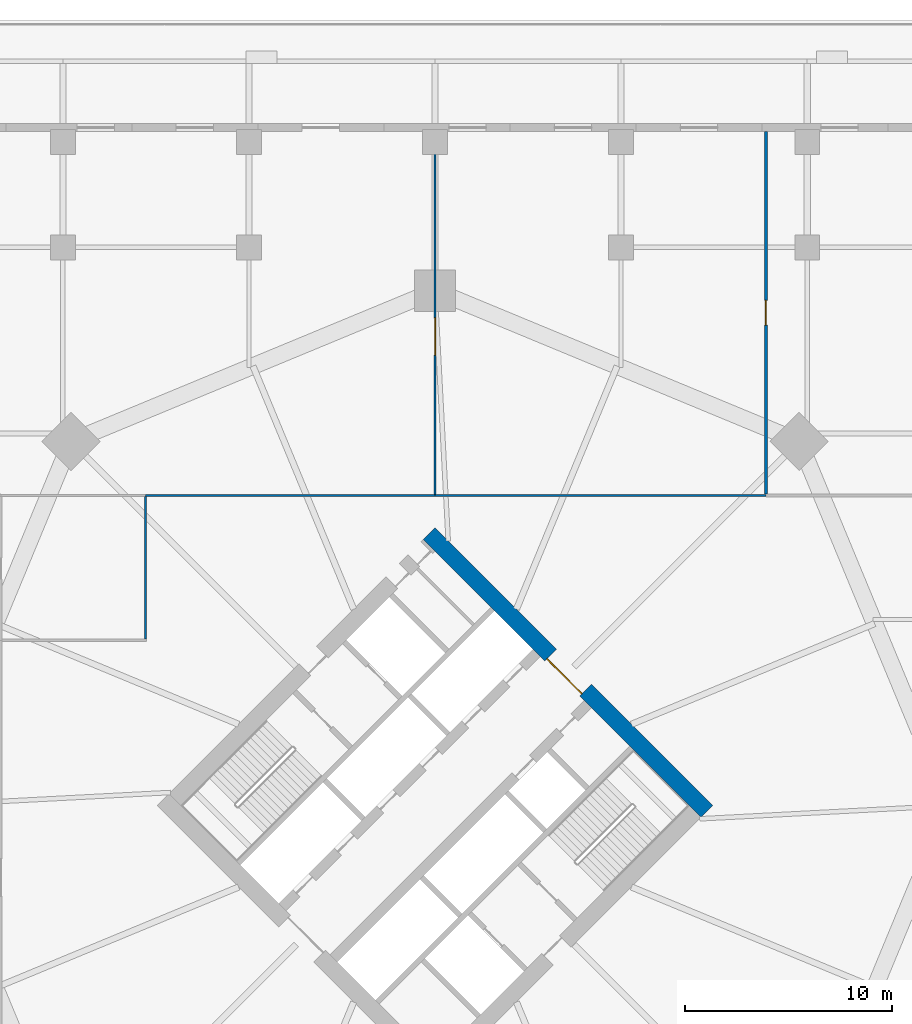
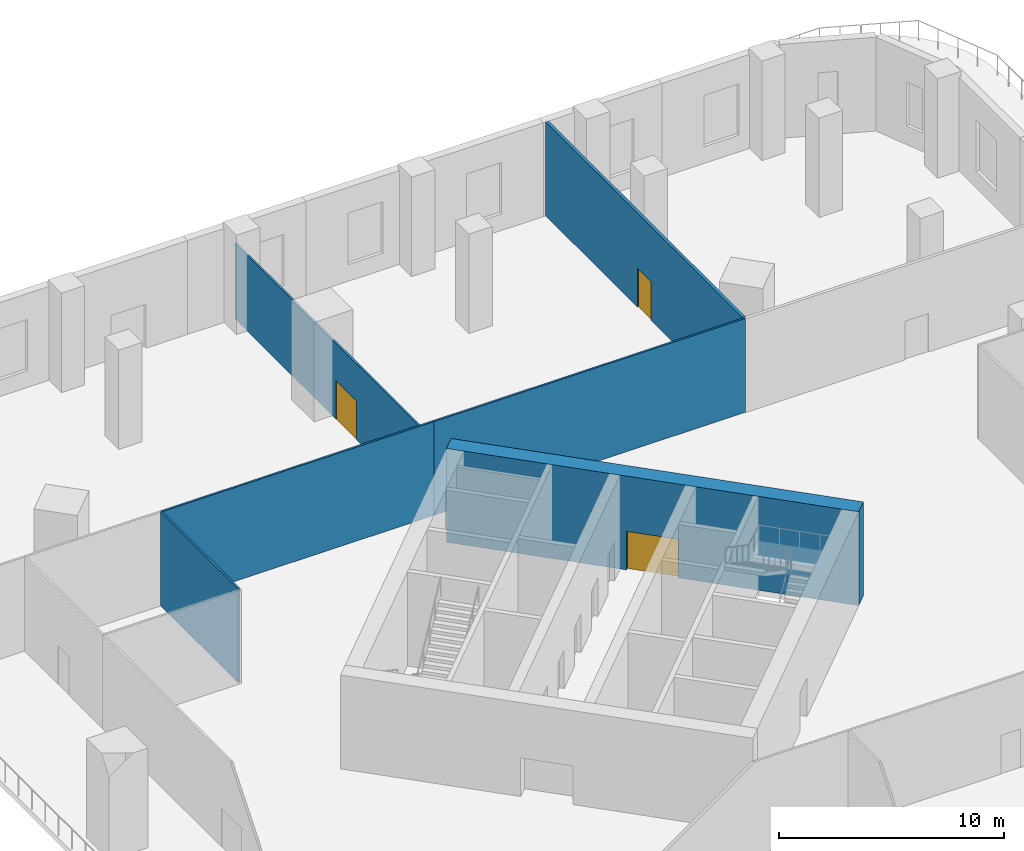
# One storey, part 9 of 20: 6 walls, 3 doors, 3 openings.
"""IFC4 building model written with IfcOpenShell, lengths in metres."""

from ifc_helpers import new_model, si_unit, direction, frame, frame_2d, origin, place, context, subcontext, project, spatial, rectangle, extrude, material, layer, layer_set, type_object, element, fill, save


model = new_model("IFC4")

# Units and contexts
model_context = context("Model", 3, precision=1e-05, world=origin(), true_north=direction((0.0, 1.0)))
body_context = subcontext(model_context, "Body", "Model", "MODEL_VIEW")
ifc_project = project(units=[si_unit("LENGTHUNIT", "METRE"), si_unit("AREAUNIT", "SQUARE_METRE"), si_unit("VOLUMEUNIT", "CUBIC_METRE"), si_unit("PLANEANGLEUNIT", "RADIAN"), si_unit("MASSUNIT", "GRAM", prefix="KILO")], contexts=[model_context])

# Site, building, storey
site_placement = place(None, origin())
site = spatial("IfcSite", under=ifc_project, at=site_placement, CompositionType="ELEMENT")
building_placement = place(site_placement, origin())
building = spatial("IfcBuilding", under=site, at=building_placement, Name="Ogive Gate Towers", CompositionType="ELEMENT")
storey_placement = place(building_placement, frame((0.0, 0.0, 7.199951171875)))
storey = spatial("IfcBuildingStorey", under=building, at=storey_placement, Name="L01", CompositionType="ELEMENT", Elevation=7.199951171875)

# Wall, opening, door
ifc_material_1 = material(Name="Concrete C60/75", Category="concrete")
ifc_layer_1 = layer(ifc_material_1, 0.800048828125)
ifc_layer_set_1 = layer_set([ifc_layer_1], Name="Core wall 800 mm")
wall_type_1 = type_object("IfcWallType", Name="Core wall 800 mm", PredefinedType="SHEAR", material=ifc_layer_set_1)
wall_1_placement = place(storey_placement, frame((49.152099609375, -0.28271484375, 0.0), z_axis=(0.0, 0.0, 1.0), x_axis=(-0.707106781187, 0.707106781187, 0.0)))
wall_1 = element("IfcWall", 1, at=wall_1_placement, inside=storey, type_object=wall_type_1, Name="T2 L01 Core wall 800 mm", PredefinedType="SHEAR", context=body_context, shape_type="SweptSolid", body=[
    extrude(rectangle(XDim=18.999755859375, YDim=0.800048828125, at=frame_2d((9.5, 0.0))), origin(), (0.0, 0.0, 1.0), 5.10009765625),
])
opening_1_placement = place(wall_1_placement, frame((8.300048828125, 0.0, 0.0)))
opening_1 = element("IfcOpeningElement", 2, at=opening_1_placement, cuts=wall_1, Name="Opening KD-T2-L01-02", PredefinedType="OPENING", context=body_context, shape_type="SweptSolid", body=[
    extrude(rectangle(XDim=2.39990234375, YDim=2.10009765625, at=frame_2d((1.199951171875, 1.050048828125))), frame((0.0, 0.41015625, 0.0), z_axis=(0.0, -1.0, 0.0), x_axis=(1.0, 0.0, 0.0)), (0.0, 0.0, 1.0), 0.820068359375),
])
ifc_material_2 = material(Name="Steel fire door", Category="steel")
door_type_1 = type_object("IfcDoorType", Name="Core double door FD60S 2400 x 2100", OperationType="DOUBLE_DOOR_SINGLE_SWING", PredefinedType="DOOR", material=ifc_material_2)
door_1_placement = place(opening_1_placement, origin())
door_1 = element("IfcDoor", 3, at=door_1_placement, inside=storey, type_object=door_type_1, Name="T2 L01 Core door double", OperationType="DOUBLE_DOOR_SINGLE_SWING", OverallHeight=2.10009765625, OverallWidth=2.39990234375, PredefinedType="DOOR", context=body_context, shape_type="SweptSolid", body=[
    extrude(rectangle(XDim=2.39990234375, YDim=2.10009765625, at=frame_2d((1.199951171875, 1.050048828125))), frame((0.0, 0.27490234375, 0.0), z_axis=(0.0, -1.0, 0.0), x_axis=(1.0, 0.0, 0.0)), (0.0, 0.0, 1.0), 0.050048828125),
])
fill(opening_1, door_1)

ifc_material_3 = material(Name="Gypsum board partition")
ifc_layer_2 = layer(ifc_material_3, 0.10009765625)
ifc_layer_set_2 = layer_set([ifc_layer_2], Name="Partition wall 100")
wall_type_2 = type_object("IfcWallType", Name="Partition wall 100", PredefinedType="PARTITIONING", material=ifc_layer_set_2)
wall_2_placement = place(storey_placement, frame((36.0, 15.050048828125, 0.0), z_axis=(0.0, 0.0, 1.0), x_axis=(0.0, 1.0, 0.0)))
wall_2 = element("IfcWall", 4, at=wall_2_placement, inside=storey, type_object=wall_type_2, Name="L01 partition 018", PredefinedType="PARTITIONING", context=body_context, shape_type="SweptSolid", body=[
    extrude(rectangle(XDim=17.550048828125, YDim=0.10009765625, at=frame_2d((8.77490234375, 0.0))), origin(), (0.0, 0.0, 1.0), 4.110107421875),
])
opening_2_placement = place(wall_2_placement, frame((6.73876953125, 0.0, 0.0)))
opening_2 = element("IfcOpeningElement", 5, at=opening_2_placement, cuts=wall_2, Name="Opening PO137", PredefinedType="OPENING", context=body_context, shape_type="SweptSolid", body=[
    extrude(rectangle(XDim=1.800048828125, YDim=2.10009765625, at=frame_2d((0.89990234375, 1.050048828125))), frame((0.0, 0.06005859375, 0.0), z_axis=(0.0, -1.0, 0.0), x_axis=(1.0, 0.0, 0.0)), (0.0, 0.0, 1.0), 0.1201171875),
])
ifc_material_4 = material(Name="Timber door", Category="wood")
door_type_2 = type_object("IfcDoorType", Name="Double door 1800 x 2100", OperationType="NOTDEFINED", PredefinedType="DOOR", material=ifc_material_4)
door_2_placement = place(opening_2_placement, origin())
door_2 = element("IfcDoor", 6, at=door_2_placement, inside=storey, type_object=door_type_2, Name="Door PO137", OperationType="DOUBLE_DOOR_DOUBLE_SWING", OverallHeight=2.10009765625, OverallWidth=1.800048828125, PredefinedType="DOOR", context=body_context, shape_type="SweptSolid", body=[
    extrude(rectangle(XDim=1.800048828125, YDim=2.10009765625, at=frame_2d((0.89990234375, 1.050048828125))), frame((0.0, 0.02490234375, 0.0), z_axis=(0.0, -1.0, 0.0), x_axis=(1.0, 0.0, 0.0)), (0.0, 0.0, 1.0), 0.050048828125),
])
fill(opening_2, door_2)

# Walls
wall_3_placement = place(storey_placement, frame((22.0, 15.0, 0.0), z_axis=(0.0, 0.0, 1.0), x_axis=(1.0, 0.0, 0.0)))
element("IfcWall", 7, at=wall_3_placement, inside=storey, type_object=wall_type_2, Name="L01 partition 022", PredefinedType="PARTITIONING", context=body_context, shape_type="SweptSolid", body=[
    extrude(rectangle(XDim=14.0, YDim=0.10009765625, at=frame_2d((7.0, 0.0))), origin(), (0.0, 0.0, 1.0), 5.10009765625),
])
wall_4_placement = place(storey_placement, frame((36.0, 15.0, 0.0), z_axis=(0.0, 0.0, 1.0), x_axis=(1.0, 0.0, 0.0)))
element("IfcWall", 8, at=wall_4_placement, inside=storey, type_object=wall_type_2, Name="L01 partition 026", PredefinedType="PARTITIONING", context=body_context, shape_type="SweptSolid", body=[
    extrude(rectangle(XDim=16.0, YDim=0.10009765625, at=frame_2d((8.0, 0.0))), origin(), (0.0, 0.0, 1.0), 5.10009765625),
])
wall_5_placement = place(storey_placement, frame((22.0, 8.050048828125, 0.0), z_axis=(0.0, 0.0, 1.0), x_axis=(0.0, 1.0, 0.0)))
element("IfcWall", 9, at=wall_5_placement, inside=storey, type_object=wall_type_2, Name="L01 partition 061", PredefinedType="PARTITIONING", context=body_context, shape_type="SweptSolid", body=[
    extrude(rectangle(XDim=6.89990234375, YDim=0.10009765625, at=frame_2d((3.449951171875, 0.0))), origin(), (0.0, 0.0, 1.0), 5.10009765625),
])

# Wall, opening, door
ifc_material_5 = material(Name="Fire-rated gypsum board partition")
ifc_layer_3 = layer(ifc_material_5, 0.14990234375)
ifc_layer_set_3 = layer_set([ifc_layer_3], Name="Partition wall 150")
wall_type_3 = type_object("IfcWallType", Name="Partition wall 150", PredefinedType="PARTITIONING", material=ifc_layer_set_3)
wall_6_placement = place(storey_placement, frame((52.0, 15.074951171875, 0.0), z_axis=(0.0, 0.0, 1.0), x_axis=(0.0, 1.0, 0.0)))
wall_6 = element("IfcWall", 10, at=wall_6_placement, inside=storey, type_object=wall_type_3, Name="L01 partition 025", PredefinedType="PARTITIONING", context=body_context, shape_type="SweptSolid", body=[
    extrude(rectangle(XDim=17.525146484375, YDim=0.14990234375, at=frame_2d((8.7626953125, 0.0))), origin(), (0.0, 0.0, 1.0), 5.10009765625),
])
opening_3_placement = place(wall_6_placement, frame((8.16259765625, 0.0, 0.0)))
opening_3 = element("IfcOpeningElement", 11, at=opening_3_placement, cuts=wall_6, Name="Opening PO138", PredefinedType="OPENING", context=body_context, shape_type="SweptSolid", body=[
    extrude(rectangle(XDim=1.199951171875, YDim=2.10009765625, at=frame_2d((0.60009765625, 1.050048828125))), frame((0.0, 0.0849609375, 0.0), z_axis=(0.0, -1.0, 0.0), x_axis=(1.0, 0.0, 0.0)), (0.0, 0.0, 1.0), 0.169921875),
])
door_type_3 = type_object("IfcDoorType", Name="Interior fire door FD60S 1200 x 2100", OperationType="NOTDEFINED", PredefinedType="DOOR", material=ifc_material_2)
door_3_placement = place(opening_3_placement, origin())
door_3 = element("IfcDoor", 12, at=door_3_placement, inside=storey, type_object=door_type_3, Name="Door PO138", OperationType="SINGLE_SWING_RIGHT", OverallHeight=2.10009765625, OverallWidth=1.199951171875, PredefinedType="DOOR", context=body_context, shape_type="SweptSolid", body=[
    extrude(rectangle(XDim=1.199951171875, YDim=2.10009765625, at=frame_2d((0.60009765625, 1.050048828125))), frame((0.0, 0.02490234375, 0.0), z_axis=(0.0, -1.0, 0.0), x_axis=(1.0, 0.0, 0.0)), (0.0, 0.0, 1.0), 0.050048828125),
])
fill(opening_3, door_3)

save(model, "model.ifc")
